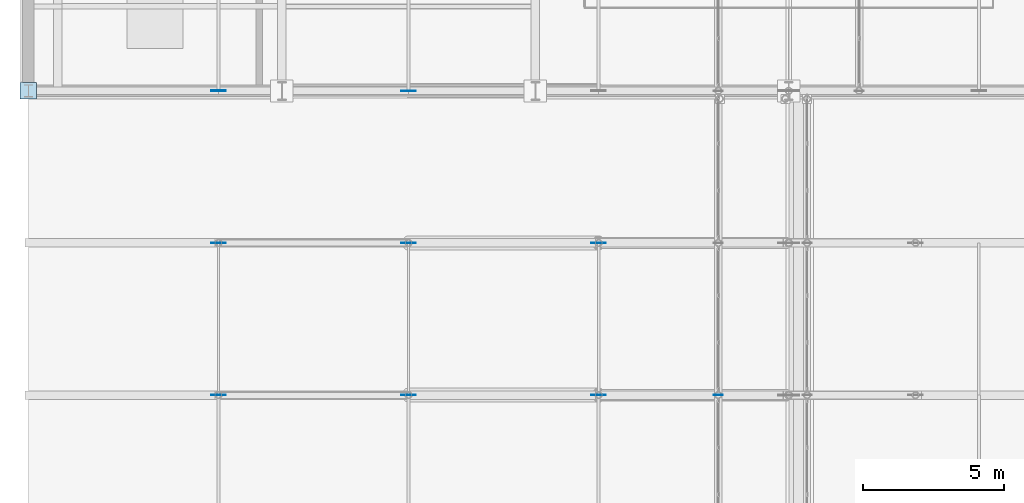
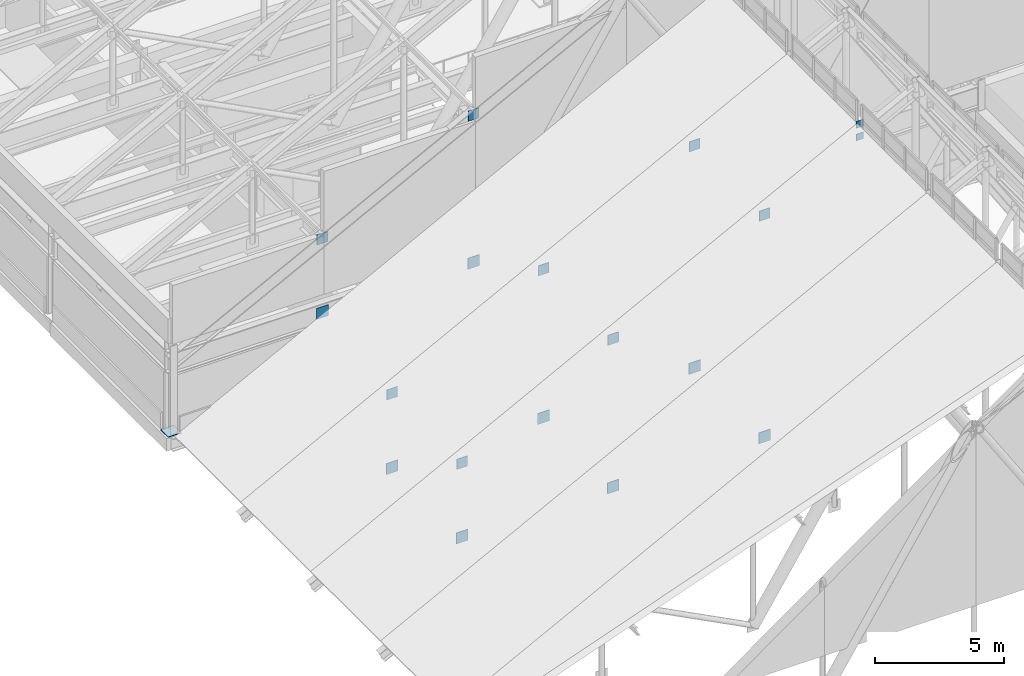
# One storey, part 74 of 84: 19 plates.
"""IFC4 building model written with IfcOpenShell, lengths in metres."""

from ifc_helpers import new_model, si_unit, direction, frame, origin, origin_2d, place, context, subcontext, project, spatial, rectangle, extrude, material, layer, layer_set, type_object, element, save


model = new_model("IFC4")

# Units and contexts
model_context = context("Model", 3, precision=1e-05, world=origin(), true_north=direction((0.0, 1.0)))
body_context = subcontext(model_context, "Body", "Model", "MODEL_VIEW")
ifc_project = project(units=[si_unit("LENGTHUNIT", "METRE"), si_unit("AREAUNIT", "SQUARE_METRE"), si_unit("VOLUMEUNIT", "CUBIC_METRE"), si_unit("PLANEANGLEUNIT", "RADIAN"), si_unit("MASSUNIT", "GRAM", prefix="KILO")], contexts=[model_context])

# Site, building, storey
site_placement = place(None, origin())
site = spatial("IfcSite", under=ifc_project, at=site_placement, CompositionType="ELEMENT")
building_placement = place(site_placement, origin())
building = spatial("IfcBuilding", under=site, at=building_placement, Name="Sundgate Opera House", CompositionType="ELEMENT")
storey_placement = place(building_placement, frame((0.0, 0.0, 30.60009765625)))
storey = spatial("IfcBuildingStorey", under=building, at=storey_placement, Name="L06", CompositionType="ELEMENT", Elevation=30.60009765625)

# Plates
ifc_material_1 = material(Name="Steel S355J2", Category="steel")
ifc_layer_1 = layer(ifc_material_1, 0.033935546875)
ifc_layer_set_1 = layer_set([ifc_layer_1], Name="Steel S355J2")
plate_type_1 = type_object("IfcPlateType", Name="PT-BAS-34", PredefinedType="USERDEFINED", material=ifc_layer_set_1)
plate_1_placement = place(storey_placement, frame((27.0, 60.0, 0.0), z_axis=(0.0, 0.0, 1.0), x_axis=(1.0, 0.0, 0.0)))
element("IfcPlate", 1, at=plate_1_placement, inside=storey, type_object=plate_type_1, Name="L06 Base Plate PT0025", ObjectType="BASE PLATE", PredefinedType="USERDEFINED", context=body_context, shape_type="SweptSolid", body=[
    extrude(rectangle(XDim=0.590087890625, YDim=0.590087890625, at=origin_2d()), origin(), (0.0, 0.0, 1.0), 0.033935546875),
])
ifc_material_2 = material(Name="Steel S355J2", Category="steel")
ifc_layer_2 = layer(ifc_material_2, 0.02001953125)
ifc_layer_set_2 = layer_set([ifc_layer_2], Name="Steel S355J2")
plate_type_2 = type_object("IfcPlateType", Name="PT-GUS-20", PredefinedType="USERDEFINED", material=ifc_layer_set_2)
for number, where, z_axis, x_axis, name in (
    (2, (51.5, 49.199951171875, 11.7470703125), (0.0, 0.0, 1.0), (1.0, 0.0, 0.0), "L06 Lantern Post Base Gusset"),
    (3, (51.5, 49.199951171875, 12.33984375), (0.0, 0.0, 1.0), (1.0, 0.0, 0.0), "L06 Lantern Post Cap Gusset"),
):
    element("IfcPlate", number, at=place(storey_placement, frame(where, z_axis=z_axis, x_axis=x_axis)), inside=storey, type_object=plate_type_2, Name=name, ObjectType="GUSSET PLATE", PredefinedType="USERDEFINED", context=body_context, shape_type="SweptSolid", body=[
        extrude(rectangle(XDim=0.320068359375, YDim=0.02001953125, at=origin_2d()), origin(), (0.0, 0.0, 1.0), 0.320068359375),
    ])
ifc_material_3 = material(Name="Steel S355J2", Category="steel")
ifc_layer_3 = layer(ifc_material_3, 0.02490234375)
ifc_layer_set_3 = layer_set([ifc_layer_3], Name="Steel S355J2")
plate_type_3 = type_object("IfcPlateType", Name="PT-GUS-25", PredefinedType="USERDEFINED", material=ifc_layer_set_3)
plate_2_placement = place(storey_placement, frame((33.75, 49.199951171875, 2.489990234375), z_axis=(0.0, 0.0, 1.0), x_axis=(1.0, 0.0, 0.0)))
element("IfcPlate", 4, at=plate_2_placement, inside=storey, type_object=plate_type_3, Name="L06 Truss Upper Node Gusset Plate", ObjectType="GUSSET PLATE", PredefinedType="USERDEFINED", context=body_context, shape_type="SweptSolid", body=[
    extrude(rectangle(XDim=0.47998046875, YDim=0.02490234375, at=origin_2d()), origin(), (0.0, 0.0, 1.0), 0.47998046875),
])
plate_3_placement = place(storey_placement, frame((40.5, 49.199951171875, -1.02001953125), z_axis=(0.0, 0.0, 1.0), x_axis=(1.0, 0.0, 0.0)))
element("IfcPlate", 5, at=plate_3_placement, inside=storey, type_object=plate_type_3, Name="L06 Truss Lower Node Gusset Plate", ObjectType="GUSSET PLATE", PredefinedType="USERDEFINED", context=body_context, shape_type="SweptSolid", body=[
    extrude(rectangle(XDim=0.52001953125, YDim=0.02490234375, at=origin_2d()), origin(), (0.0, 0.0, 1.0), 0.52001953125),
])
for number, where, z_axis, x_axis, name in (
    (6, (40.5, 49.199951171875, 5.97998046875), (0.0, 0.0, 1.0), (1.0, 0.0, 0.0), "L06 Truss Upper Node Gusset Plate"),
    (7, (47.25, 49.199951171875, 9.469970703125), (0.0, 0.0, 1.0), (1.0, 0.0, 0.0), "L06 Truss Upper Node Gusset Plate"),
    (8, (33.75, 54.60009765625, 2.489990234375), (0.0, 0.0, 1.0), (1.0, 0.0, 0.0), "L06 Truss Upper Node Gusset Plate"),
):
    element("IfcPlate", number, at=place(storey_placement, frame(where, z_axis=z_axis, x_axis=x_axis)), inside=storey, type_object=plate_type_3, Name=name, ObjectType="GUSSET PLATE", PredefinedType="USERDEFINED", context=body_context, shape_type="SweptSolid", body=[
        extrude(rectangle(XDim=0.47998046875, YDim=0.02490234375, at=origin_2d()), origin(), (0.0, 0.0, 1.0), 0.47998046875),
    ])
plate_4_placement = place(storey_placement, frame((40.5, 54.60009765625, -1.02001953125), z_axis=(0.0, 0.0, 1.0), x_axis=(1.0, 0.0, 0.0)))
element("IfcPlate", 9, at=plate_4_placement, inside=storey, type_object=plate_type_3, Name="L06 Truss Lower Node Gusset Plate", ObjectType="GUSSET PLATE", PredefinedType="USERDEFINED", context=body_context, shape_type="SweptSolid", body=[
    extrude(rectangle(XDim=0.52001953125, YDim=0.02490234375, at=origin_2d()), origin(), (0.0, 0.0, 1.0), 0.52001953125),
])
for number, where, z_axis, x_axis, name in (
    (10, (40.5, 54.60009765625, 5.97998046875), (0.0, 0.0, 1.0), (1.0, 0.0, 0.0), "L06 Truss Upper Node Gusset Plate"),
    (11, (47.25, 54.60009765625, 9.469970703125), (0.0, 0.0, 1.0), (1.0, 0.0, 0.0), "L06 Truss Upper Node Gusset Plate"),
    (12, (33.75, 60.0, 6.52734375), (0.0, 0.0, 1.0), (1.0, 0.0, 0.0), "L06 Truss Upper Node Gusset Plate"),
):
    element("IfcPlate", number, at=place(storey_placement, frame(where, z_axis=z_axis, x_axis=x_axis)), inside=storey, type_object=plate_type_3, Name=name, ObjectType="GUSSET PLATE", PredefinedType="USERDEFINED", context=body_context, shape_type="SweptSolid", body=[
        extrude(rectangle(XDim=0.47998046875, YDim=0.02490234375, at=origin_2d()), origin(), (0.0, 0.0, 1.0), 0.47998046875),
    ])
plate_5_placement = place(storey_placement, frame((40.5, 60.0, 3.02978515625), z_axis=(0.0, 0.0, 1.0), x_axis=(1.0, 0.0, 0.0)))
element("IfcPlate", 13, at=plate_5_placement, inside=storey, type_object=plate_type_3, Name="L06 Truss Lower Node Gusset Plate", ObjectType="GUSSET PLATE", PredefinedType="USERDEFINED", context=body_context, shape_type="SweptSolid", body=[
    extrude(rectangle(XDim=0.52001953125, YDim=0.02490234375, at=origin_2d()), origin(), (0.0, 0.0, 1.0), 0.52001953125),
])
plate_6_placement = place(storey_placement, frame((40.5, 60.0, 10.0048828125), z_axis=(0.0, 0.0, 1.0), x_axis=(1.0, 0.0, 0.0)))
element("IfcPlate", 14, at=plate_6_placement, inside=storey, type_object=plate_type_3, Name="L06 Truss Upper Node Gusset Plate", ObjectType="GUSSET PLATE", PredefinedType="USERDEFINED", context=body_context, shape_type="SweptSolid", body=[
    extrude(rectangle(XDim=0.47998046875, YDim=0.02490234375, at=origin_2d()), origin(), (0.0, 0.0, 1.0), 0.47998046875),
])
ifc_material_4 = material(Name="Steel S355J2", Category="steel")
ifc_layer_4 = layer(ifc_material_4, 0.028076171875)
ifc_layer_set_4 = layer_set([ifc_layer_4], Name="Steel S355J2")
plate_type_4 = type_object("IfcPlateType", Name="PT-GUS-28", PredefinedType="USERDEFINED", material=ifc_layer_set_4)
for number, where, z_axis, x_axis, name in (
    (15, (33.75, 49.199951171875, -1.02001953125), (0.0, 0.0, 1.0), (1.0, 0.0, 0.0), "L06 Truss Lower Node Gusset Plate"),
    (16, (47.25, 49.199951171875, -1.02001953125), (0.0, 0.0, 1.0), (1.0, 0.0, 0.0), "L06 Truss Lower Node Gusset Plate"),
    (17, (33.75, 54.60009765625, -1.02001953125), (0.0, 0.0, 1.0), (1.0, 0.0, 0.0), "L06 Truss Lower Node Gusset Plate"),
    (18, (47.25, 54.60009765625, -1.02001953125), (0.0, 0.0, 1.0), (1.0, 0.0, 0.0), "L06 Truss Lower Node Gusset Plate"),
    (19, (33.75, 60.0, 3.02978515625), (0.0, 0.0, 1.0), (1.0, 0.0, 0.0), "L06 Truss Lower Node Gusset Plate"),
):
    element("IfcPlate", number, at=place(storey_placement, frame(where, z_axis=z_axis, x_axis=x_axis)), inside=storey, type_object=plate_type_4, Name=name, ObjectType="GUSSET PLATE", PredefinedType="USERDEFINED", context=body_context, shape_type="SweptSolid", body=[
        extrude(rectangle(XDim=0.52001953125, YDim=0.028076171875, at=origin_2d()), origin(), (0.0, 0.0, 1.0), 0.52001953125),
    ])

save(model, "model.ifc")
